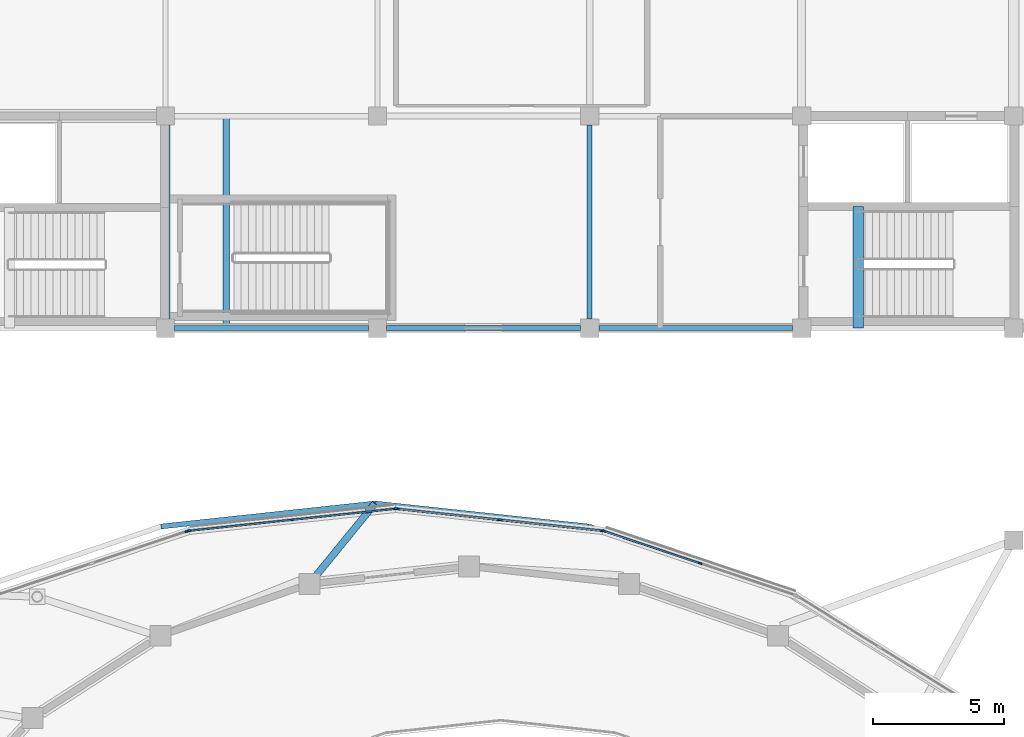
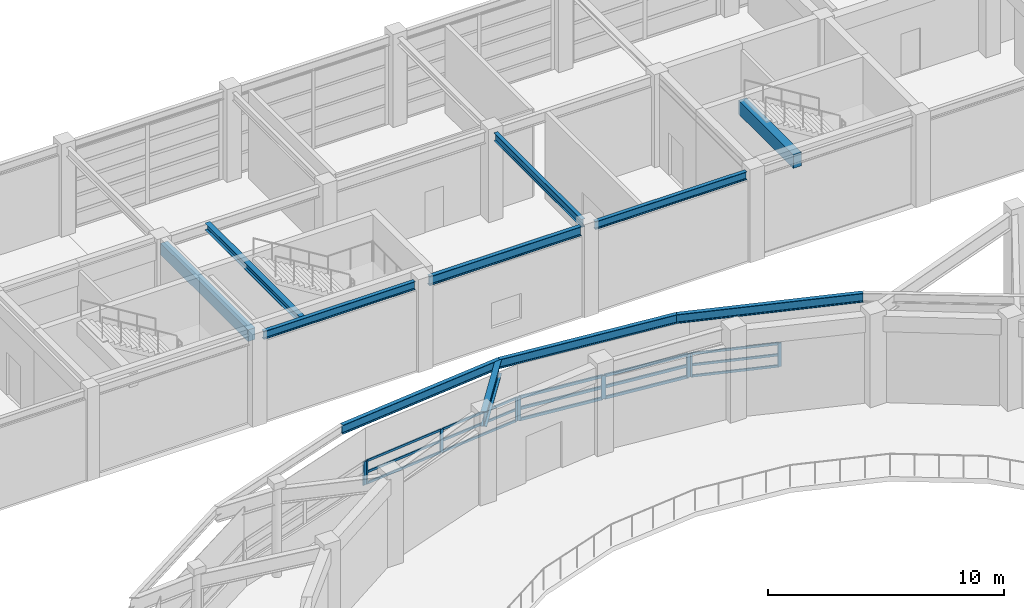
# One storey, part 26 of 58: 24 members, 11 beams, 4 elements without a shape of their own.
"""IFC4 building model written with IfcOpenShell, lengths in metres."""

from ifc_helpers import new_model, si_unit, direction, frame, origin, origin_2d, place, context, subcontext, project, spatial, rectangle, i_section, extrude, material, material_profile, profile_set, type_object, element, aggregate, save


model = new_model("IFC4")

# Units and contexts
model_context = context("Model", 3, precision=1e-05, world=origin(), true_north=direction((0.0, 1.0)))
body_context = subcontext(model_context, "Body", "Model", "MODEL_VIEW")
ifc_project = project(units=[si_unit("LENGTHUNIT", "METRE"), si_unit("AREAUNIT", "SQUARE_METRE"), si_unit("VOLUMEUNIT", "CUBIC_METRE"), si_unit("PLANEANGLEUNIT", "RADIAN"), si_unit("MASSUNIT", "GRAM", prefix="KILO")], contexts=[model_context])

# Site, building, storey
site_placement = place(None, origin())
site = spatial("IfcSite", under=ifc_project, at=site_placement, CompositionType="ELEMENT")
building_placement = place(site_placement, origin())
building = spatial("IfcBuilding", under=site, at=building_placement, Name="Parian Resonance Hall", CompositionType="ELEMENT")
storey_placement = place(building_placement, frame((0.0, 0.0, 10.199951171875)))
storey = spatial("IfcBuildingStorey", under=building, at=storey_placement, Name="L02", CompositionType="ELEMENT", Elevation=10.199951171875)

# Beams
ifc_material_1 = material(Name="Concrete C40/50", Category="concrete")
ifc_material_profile_1 = material_profile(ifc_material_1, rectangle(XDim=0.35009765625, YDim=0.60009765625, at=origin_2d()), Name="RC-BM-350x600")
ifc_profile_set_1 = profile_set([ifc_material_profile_1], Name="Concrete C40/50")
beam_type_1 = type_object("IfcBeamType", Name="BM-RC350x600", PredefinedType="BEAM", material=ifc_profile_set_1)
beam_1_placement = place(storey_placement, frame((32.39990234375, 73.25, 4.260009765625), z_axis=(0.0, 1.0, 0.0), x_axis=(-1.0, 0.0, 0.0)))
element("IfcBeam", 1, at=beam_1_placement, inside=storey, type_object=beam_type_1, Name="GY-L02-0750", PredefinedType="BEAM", context=body_context, shape_type="SweptSolid", body=[
    extrude(rectangle(XDim=0.35009765625, YDim=0.60009765625, at=origin_2d()), origin(), (0.0, 0.0, 1.0), 7.39990234375),
])
ifc_material_2 = material(Name="Concrete C40/50", Category="concrete")
ifc_material_profile_2 = material_profile(ifc_material_2, rectangle(XDim=0.39990234375, YDim=0.699951171875, at=origin_2d()), Name="RC-BM-400x700")
ifc_profile_set_2 = profile_set([ifc_material_profile_2], Name="Concrete C40/50")
beam_type_2 = type_object("IfcBeamType", Name="BM-RC400x700", PredefinedType="BEAM", material=ifc_profile_set_2)
beam_2_placement = place(storey_placement, frame((58.860107421875, 72.89990234375, 4.2099609375), z_axis=(0.0, 1.0, 0.0), x_axis=(-1.0, 0.0, 0.0)))
element("IfcBeam", 2, at=beam_2_placement, inside=storey, type_object=beam_type_2, Name="Core K1 stair arrival trimmer beam L02", PredefinedType="BEAM", context=body_context, shape_type="SweptSolid", body=[
    extrude(rectangle(XDim=0.39990234375, YDim=0.699951171875, at=origin_2d()), origin(), (0.0, 0.0, 1.0), 4.650146484375),
])
ifc_material_3 = material(Name="Steel S355", Category="steel")
ifc_material_profile_3 = material_profile(ifc_material_3, i_section(OverallWidth=0.2548828125, OverallDepth=0.35693359375, WebThickness=0.010498046875, FlangeThickness=0.018310546875, FilletRadius=0.01513671875, at=origin_2d()), Name="W360x101")
ifc_profile_set_3 = profile_set([ifc_material_profile_3], Name="Steel S355")
beam_type_3 = type_object("IfcBeamType", Name="BM-W360x101", PredefinedType="SPANDREL", material=ifc_profile_set_3)
beam_3_placement = place(storey_placement, frame((34.719970703125, 72.89990234375, 4.381591796875), z_axis=(0.0, 1.0, 0.0), x_axis=(-1.0, 0.0, 0.0)))
element("IfcBeam", 3, at=beam_3_placement, inside=storey, type_object=beam_type_3, Name="Feature stair ST-07 arrival header beam L02", PredefinedType="SPANDREL", context=body_context, shape_type="SweptSolid", body=[
    extrude(i_section(OverallWidth=0.2548828125, OverallDepth=0.35693359375, WebThickness=0.010498046875, FlangeThickness=0.018310546875, FilletRadius=0.01513671875, at=origin_2d()), origin(), (0.0, 0.0, 1.0), 8.10009765625),
])
ifc_material_4 = material(Name="Steel S355", Category="steel")
ifc_material_profile_4 = material_profile(ifc_material_4, i_section(OverallWidth=0.180908203125, OverallDepth=0.4169921875, WebThickness=0.010986328125, FlangeThickness=0.018310546875, FilletRadius=0.01513671875, at=origin_2d()), Name="W410x85")
ifc_profile_set_4 = profile_set([ifc_material_profile_4], Name="Steel S355")
beam_type_4 = type_object("IfcBeamType", Name="BM-W410x85", PredefinedType="SPANDREL", material=ifc_profile_set_4)
beam_4_placement = place(storey_placement, frame((32.75, 72.89990234375, 4.3515625), z_axis=(1.0, 0.0, 0.0), x_axis=(0.0, 1.0, 0.0)))
element("IfcBeam", 4, at=beam_4_placement, inside=storey, type_object=beam_type_4, Name="GX-L02-0668", PredefinedType="SPANDREL", context=body_context, shape_type="SweptSolid", body=[
    extrude(i_section(OverallWidth=0.180908203125, OverallDepth=0.4169921875, WebThickness=0.010986328125, FlangeThickness=0.018310546875, FilletRadius=0.01513671875, at=origin_2d()), origin(), (0.0, 0.0, 1.0), 7.39990234375),
])
beam_5_placement = place(storey_placement, frame((48.949951171875, 72.89990234375, 4.3515625), z_axis=(1.0, 0.0, 0.0), x_axis=(0.0, 1.0, 0.0)))
element("IfcBeam", 5, at=beam_5_placement, inside=storey, type_object=beam_type_4, Name="GX-L02-0674", PredefinedType="SPANDREL", context=body_context, shape_type="SweptSolid", body=[
    extrude(i_section(OverallWidth=0.180908203125, OverallDepth=0.4169921875, WebThickness=0.010986328125, FlangeThickness=0.018310546875, FilletRadius=0.01513671875, at=origin_2d()), origin(), (0.0, 0.0, 1.0), 7.400146484375),
])
beam_6_placement = place(storey_placement, frame((48.60009765625, 73.25, 4.3515625), z_axis=(0.0, 1.0, 0.0), x_axis=(-1.0, 0.0, 0.0)))
element("IfcBeam", 6, at=beam_6_placement, inside=storey, type_object=beam_type_4, Name="GY-L02-0753", PredefinedType="SPANDREL", context=body_context, shape_type="SweptSolid", body=[
    extrude(i_section(OverallWidth=0.180908203125, OverallDepth=0.4169921875, WebThickness=0.010986328125, FlangeThickness=0.018310546875, FilletRadius=0.01513671875, at=origin_2d()), origin(), (0.0, 0.0, 1.0), 7.39990234375),
])
ifc_material_5 = material(Name="Steel S355", Category="steel")
ifc_material_profile_5 = material_profile(ifc_material_5, i_section(OverallWidth=0.194091796875, OverallDepth=0.468994140625, WebThickness=0.0126953125, FlangeThickness=0.0205078125, FilletRadius=0.01513671875, at=origin_2d()), Name="W460x106")
ifc_profile_set_5 = profile_set([ifc_material_profile_5], Name="Steel S355")
beam_type_5 = type_object("IfcBeamType", Name="BM-W460x106", PredefinedType="SPANDREL", material=ifc_profile_set_5)
beam_7_placement = place(storey_placement, frame((40.85009765625, 72.89990234375, 4.325439453125), z_axis=(1.0, 0.0, 0.0), x_axis=(0.0, 1.0, 0.0)))
element("IfcBeam", 7, at=beam_7_placement, inside=storey, type_object=beam_type_5, Name="GX-L02-0671", PredefinedType="SPANDREL", context=body_context, shape_type="SweptSolid", body=[
    extrude(i_section(OverallWidth=0.194091796875, OverallDepth=0.468994140625, WebThickness=0.0126953125, FlangeThickness=0.0205078125, FilletRadius=0.01513671875, at=origin_2d()), origin(), (0.0, 0.0, 1.0), 7.39990234375),
])
beam_8_placement = place(storey_placement, frame((56.199951171875, 62.743408203125, 4.265625), z_axis=(-0.947296607548, 0.320357827013, 0.0), x_axis=(-0.320357827013, -0.947296607548, 0.0)))
element("IfcBeam", 8, at=beam_8_placement, inside=storey, type_object=beam_type_5, Name="Elliptical R3 perimeter spandrel beam 05", PredefinedType="SPANDREL", context=body_context, shape_type="SweptSolid", body=[
    extrude(i_section(OverallWidth=0.194091796875, OverallDepth=0.468994140625, WebThickness=0.0126953125, FlangeThickness=0.0205078125, FilletRadius=0.01513671875, at=origin_2d()), origin(), (0.0, 0.0, 1.0), 8.04541015625),
])
for number, where, z_axis, x_axis, name in (
    (9, (48.57861328125, 65.32080078125, 4.265625), (-0.994272266142, 0.106876848668, 0.0), (-0.106876848668, -0.994272266142, 0.0), "Elliptical R3 perimeter spandrel beam 06"),
    (10, (40.39990234375, 66.199951171875, 4.265625), (-0.994272266142, -0.106876848668, 0.0), (0.106876848668, -0.994272266142, 0.0), "Elliptical R3 perimeter spandrel beam 07"),
):
    element("IfcBeam", number, at=place(storey_placement, frame(where, z_axis=z_axis, x_axis=x_axis)), inside=storey, type_object=beam_type_5, Name=name, PredefinedType="SPANDREL", context=body_context, shape_type="SweptSolid", body=[
        extrude(i_section(OverallWidth=0.194091796875, OverallDepth=0.468994140625, WebThickness=0.0126953125, FlangeThickness=0.0205078125, FilletRadius=0.01513671875, at=origin_2d()), origin(), (0.0, 0.0, 1.0), 8.225830078125),
    ])
ifc_material_6 = material(Name="Steel S355", Category="steel")
ifc_material_profile_6 = material_profile(ifc_material_6, i_section(OverallWidth=0.26806640625, OverallDepth=0.77001953125, WebThickness=0.015625, FlangeThickness=0.025390625, FilletRadius=0.020263671875, at=origin_2d()), Name="W760x196")
ifc_profile_set_6 = profile_set([ifc_material_profile_6], Name="Steel S355")
beam_type_6 = type_object("IfcBeamType", Name="CG3 W760x196", PredefinedType="USERDEFINED", material=ifc_profile_set_6)
beam_9_placement = place(storey_placement, frame((37.891845703125, 63.125244140625, 4.114990234375), z_axis=(0.632087839298, 0.774896743709, 0.0), x_axis=(-0.774896743709, 0.632087839298, 0.0)))
element("IfcBeam", 11, at=beam_9_placement, inside=storey, type_object=beam_type_6, Name="Radial ring cantilever girder R3-07", ObjectType="GIRDER", PredefinedType="USERDEFINED", context=body_context, shape_type="SweptSolid", body=[
    extrude(i_section(OverallWidth=0.26806640625, OverallDepth=0.77001953125, WebThickness=0.015625, FlangeThickness=0.025390625, FilletRadius=0.020263671875, at=origin_2d()), origin(), (0.0, 0.0, 1.0), 3.9677734375),
])

# Curtain wall, members
ifc_material_7 = material(Name="Bronze-anodised aluminium frame", Category="aluminium")
curtain_wall_type_1 = type_object("IfcCurtainWallType", Name="CW-SYS-06", PredefinedType="NOTDEFINED", material=ifc_material_7)
curtain_wall_1_placement = place(storey_placement, origin())
curtain_wall_1 = element("IfcCurtainWall", 12, at=curtain_wall_1_placement, inside=storey, type_object=curtain_wall_type_1, Name="Elliptical R2 recessed strip curtain wall 05", PredefinedType="NOTDEFINED")
ifc_material_8 = material(Name="Bronze-anodised aluminium frame", Category="aluminium")
ifc_material_profile_7 = material_profile(ifc_material_8, rectangle(XDim=0.06494140625, YDim=0.159912109375, at=origin_2d()), Name="CWM-65x160")
ifc_profile_set_7 = profile_set([ifc_material_profile_7], Name="Bronze-anodised aluminium frame")
member_type_1 = type_object("IfcMemberType", Name="CWM-65x160", PredefinedType="MULLION", material=ifc_profile_set_7)
member_1_placement = place(storey_placement, frame((49.150634765625, 65.144775390625, 1.14208984375), z_axis=(0.0, 0.0, 1.0), x_axis=(0.318257900904, 0.948004171147, 0.0)))
member_1 = element("IfcMember", 13, at=member_1_placement, type_object=member_type_1, Name="CW-06 mullion 1", PredefinedType="MULLION", context=body_context, shape_type="SweptSolid", body=[
    extrude(rectangle(XDim=0.06494140625, YDim=0.159912109375, at=origin_2d()), origin(), (0.0, 0.0, 1.0), 1.218017578125),
])
member_2_placement = place(storey_placement, frame((52.81005859375, 63.916259765625, 1.14208984375), z_axis=(0.0, 0.0, 1.0), x_axis=(0.318257900904, 0.948004171147, 0.0)))
member_2 = element("IfcMember", 14, at=member_2_placement, type_object=member_type_1, Name="CW-06 mullion 2", PredefinedType="MULLION", context=body_context, shape_type="SweptSolid", body=[
    extrude(rectangle(XDim=0.06494140625, YDim=0.159912109375, at=origin_2d()), origin(), (0.0, 0.0, 1.0), 1.218017578125),
])

ifc_material_9 = material(Name="Bronze-anodised aluminium frame", Category="aluminium")
curtain_wall_type_2 = type_object("IfcCurtainWallType", Name="CW-SYS-02", PredefinedType="NOTDEFINED", material=ifc_material_9)
curtain_wall_2_placement = place(storey_placement, origin())
curtain_wall_2 = element("IfcCurtainWall", 15, at=curtain_wall_2_placement, inside=storey, type_object=curtain_wall_type_2, Name="Elliptical R2 recessed strip curtain wall 07", PredefinedType="NOTDEFINED")
member_3_placement = place(storey_placement, frame((33.3125, 65.158447265625, 1.14208984375), z_axis=(0.0, 0.0, 1.0), x_axis=(-0.106091133346, 0.994356410662, 0.0)))
member_3 = element("IfcMember", 16, at=member_3_placement, type_object=member_type_1, Name="CW-02 mullion 1", PredefinedType="MULLION", context=body_context, shape_type="SweptSolid", body=[
    extrude(rectangle(XDim=0.06494140625, YDim=0.159912109375, at=origin_2d()), origin(), (0.0, 0.0, 1.0), 1.218017578125),
])
member_4_placement = place(storey_placement, frame((37.239990234375, 65.577392578125, 1.14208984375), z_axis=(0.0, 0.0, 1.0), x_axis=(-0.106091133346, 0.994356410662, 0.0)))
member_4 = element("IfcMember", 17, at=member_4_placement, type_object=member_type_1, Name="CW-02 mullion 2", PredefinedType="MULLION", context=body_context, shape_type="SweptSolid", body=[
    extrude(rectangle(XDim=0.06494140625, YDim=0.159912109375, at=origin_2d()), origin(), (0.0, 0.0, 1.0), 1.218017578125),
])
member_5_placement = place(storey_placement, frame((41.167724609375, 65.99658203125, 1.14208984375), z_axis=(0.0, 0.0, 1.0), x_axis=(-0.106091133346, 0.994356410662, 0.0)))
member_5 = element("IfcMember", 18, at=member_5_placement, type_object=member_type_1, Name="CW-02 mullion 3", PredefinedType="MULLION", context=body_context, shape_type="SweptSolid", body=[
    extrude(rectangle(XDim=0.06494140625, YDim=0.159912109375, at=origin_2d()), origin(), (0.0, 0.0, 1.0), 1.218017578125),
])

ifc_material_10 = material(Name="Bronze-anodised aluminium frame", Category="aluminium")
curtain_wall_type_3 = type_object("IfcCurtainWallType", Name="CW-SYS-01", PredefinedType="NOTDEFINED", material=ifc_material_10)
curtain_wall_3_placement = place(storey_placement, origin())
curtain_wall_3 = element("IfcCurtainWall", 19, at=curtain_wall_3_placement, inside=storey, type_object=curtain_wall_type_3, Name="Elliptical R2 recessed strip curtain wall 06", PredefinedType="NOTDEFINED")
ifc_material_11 = material(Name="Bronze-anodised aluminium frame", Category="aluminium")
ifc_material_profile_8 = material_profile(ifc_material_11, rectangle(XDim=0.074951171875, YDim=0.199951171875, at=origin_2d()), Name="CWM-75x200")
ifc_profile_set_8 = profile_set([ifc_material_profile_8], Name="Bronze-anodised aluminium frame")
member_type_2 = type_object("IfcMemberType", Name="CWM-75x200", PredefinedType="MULLION", material=ifc_profile_set_8)
member_6_placement = place(storey_placement, frame((41.2373046875, 65.99609375, 1.14208984375), z_axis=(0.0, 0.0, 1.0), x_axis=(0.106091133346, 0.994356410662, 0.0)))
member_6 = element("IfcMember", 20, at=member_6_placement, type_object=member_type_2, Name="CW-01 mullion 1", PredefinedType="MULLION", context=body_context, shape_type="SweptSolid", body=[
    extrude(rectangle(XDim=0.074951171875, YDim=0.199951171875, at=origin_2d()), origin(), (0.0, 0.0, 1.0), 1.218017578125),
])
member_7_placement = place(storey_placement, frame((45.159912109375, 65.577392578125, 1.14208984375), z_axis=(0.0, 0.0, 1.0), x_axis=(0.106091133346, 0.994356410662, 0.0)))
member_7 = element("IfcMember", 21, at=member_7_placement, type_object=member_type_2, Name="CW-01 mullion 2", PredefinedType="MULLION", context=body_context, shape_type="SweptSolid", body=[
    extrude(rectangle(XDim=0.074951171875, YDim=0.199951171875, at=origin_2d()), origin(), (0.0, 0.0, 1.0), 1.218017578125),
])
member_8_placement = place(storey_placement, frame((49.08251953125, 65.158935546875, 1.14208984375), z_axis=(0.0, 0.0, 1.0), x_axis=(0.106091133346, 0.994356410662, 0.0)))
member_8 = element("IfcMember", 22, at=member_8_placement, type_object=member_type_2, Name="CW-01 mullion 3", PredefinedType="MULLION", context=body_context, shape_type="SweptSolid", body=[
    extrude(rectangle(XDim=0.074951171875, YDim=0.199951171875, at=origin_2d()), origin(), (0.0, 0.0, 1.0), 1.218017578125),
])

# Curtain wall, member
ifc_material_12 = material(Name="Bronze-anodised aluminium frame", Category="aluminium")
curtain_wall_type_4 = type_object("IfcCurtainWallType", Name="CW-SYS-03", PredefinedType="NOTDEFINED", material=ifc_material_12)
curtain_wall_4_placement = place(storey_placement, origin())
curtain_wall_4 = element("IfcCurtainWall", 23, at=curtain_wall_4_placement, inside=storey, type_object=curtain_wall_type_4, Name="Elliptical R2 recessed strip curtain wall 08", PredefinedType="NOTDEFINED")
member_9_placement = place(storey_placement, frame((33.24462890625, 65.14306640625, 1.14208984375), z_axis=(0.0, 0.0, 1.0), x_axis=(-0.318257900904, 0.948004171147, 0.0)))
member_9 = element("IfcMember", 24, at=member_9_placement, type_object=member_type_2, Name="CW-03 mullion 3", PredefinedType="MULLION", context=body_context, shape_type="SweptSolid", body=[
    extrude(rectangle(XDim=0.074951171875, YDim=0.199951171875, at=origin_2d()), origin(), (0.0, 0.0, 1.0), 1.218017578125),
])
aggregate(curtain_wall_4, [member_9])

# Member
ifc_material_13 = material(Name="Bronze-anodised aluminium frame", Category="aluminium")
ifc_material_profile_9 = material_profile(ifc_material_13, rectangle(XDim=0.06494140625, YDim=0.1201171875, at=origin_2d()), Name="CWT-65x120")
ifc_profile_set_9 = profile_set([ifc_material_profile_9], Name="Bronze-anodised aluminium frame")
member_type_3 = type_object("IfcMemberType", Name="CWT-65x120", PredefinedType="USERDEFINED", material=ifc_profile_set_9)
member_10_placement = place(storey_placement, frame((49.181640625, 65.13427734375, 1.174560546875), z_axis=(0.947999124508, -0.318272933081, 0.0), x_axis=(0.318272933081, 0.947999124508, 0.0)))
member_10 = element("IfcMember", 25, at=member_10_placement, type_object=member_type_3, Name="CW-06 transom 1.1", ObjectType="TRANSOM", PredefinedType="USERDEFINED", context=body_context, shape_type="SweptSolid", body=[
    extrude(rectangle(XDim=0.06494140625, YDim=0.1201171875, at=origin_2d()), origin(), (0.0, 0.0, 1.0), 3.794677734375),
])

member_11_placement = place(storey_placement, frame((49.181640625, 65.13427734375, 1.75), z_axis=(0.947999124508, -0.318272933081, 0.0), x_axis=(0.318272933081, 0.947999124508, 0.0)))
member_11 = element("IfcMember", 26, at=member_11_placement, type_object=member_type_3, Name="CW-06 transom 1.2", ObjectType="TRANSOM", PredefinedType="USERDEFINED", context=body_context, shape_type="SweptSolid", body=[
    extrude(rectangle(XDim=0.06494140625, YDim=0.1201171875, at=origin_2d()), origin(), (0.0, 0.0, 1.0), 3.794677734375),
])

member_12_placement = place(storey_placement, frame((49.181640625, 65.13427734375, 2.32763671875), z_axis=(0.947999124508, -0.318272933081, 0.0), x_axis=(0.318272933081, 0.947999124508, 0.0)))
member_12 = element("IfcMember", 27, at=member_12_placement, type_object=member_type_3, Name="CW-06 transom 1.3", ObjectType="TRANSOM", PredefinedType="USERDEFINED", context=body_context, shape_type="SweptSolid", body=[
    extrude(rectangle(XDim=0.06494140625, YDim=0.1201171875, at=origin_2d()), origin(), (0.0, 0.0, 1.0), 3.794677734375),
])

aggregate(curtain_wall_1, [member_1, member_2, member_10, member_11, member_12])

member_13_placement = place(storey_placement, frame((33.3447265625, 65.161865234375, 1.174560546875), z_axis=(0.994357786534, 0.106078236976, 0.0), x_axis=(-0.106078236976, 0.994357786534, 0.0)))
member_13 = element("IfcMember", 28, at=member_13_placement, type_object=member_type_3, Name="CW-02 transom 1.1", ObjectType="TRANSOM", PredefinedType="USERDEFINED", context=body_context, shape_type="SweptSolid", body=[
    extrude(rectangle(XDim=0.06494140625, YDim=0.1201171875, at=origin_2d()), origin(), (0.0, 0.0, 1.0), 3.885009765625),
])

member_14_placement = place(storey_placement, frame((33.3447265625, 65.161865234375, 1.75), z_axis=(0.994357786534, 0.106078236976, 0.0), x_axis=(-0.106078236976, 0.994357786534, 0.0)))
member_14 = element("IfcMember", 29, at=member_14_placement, type_object=member_type_3, Name="CW-02 transom 1.2", ObjectType="TRANSOM", PredefinedType="USERDEFINED", context=body_context, shape_type="SweptSolid", body=[
    extrude(rectangle(XDim=0.06494140625, YDim=0.1201171875, at=origin_2d()), origin(), (0.0, 0.0, 1.0), 3.885009765625),
])

member_15_placement = place(storey_placement, frame((33.3447265625, 65.161865234375, 2.32763671875), z_axis=(0.994357786534, 0.106078236976, 0.0), x_axis=(-0.106078236976, 0.994357786534, 0.0)))
member_15 = element("IfcMember", 30, at=member_15_placement, type_object=member_type_3, Name="CW-02 transom 1.3", ObjectType="TRANSOM", PredefinedType="USERDEFINED", context=body_context, shape_type="SweptSolid", body=[
    extrude(rectangle(XDim=0.06494140625, YDim=0.1201171875, at=origin_2d()), origin(), (0.0, 0.0, 1.0), 3.885009765625),
])

member_16_placement = place(storey_placement, frame((37.2724609375, 65.5810546875, 1.174560546875), z_axis=(0.994357079326, 0.106084866003, 0.0), x_axis=(-0.106084866003, 0.994357079326, 0.0)))
member_16 = element("IfcMember", 31, at=member_16_placement, type_object=member_type_3, Name="CW-02 transom 2.1", ObjectType="TRANSOM", PredefinedType="USERDEFINED", context=body_context, shape_type="SweptSolid", body=[
    extrude(rectangle(XDim=0.06494140625, YDim=0.1201171875, at=origin_2d()), origin(), (0.0, 0.0, 1.0), 3.884765625),
])

member_17_placement = place(storey_placement, frame((37.2724609375, 65.5810546875, 1.75), z_axis=(0.994357079326, 0.106084866003, 0.0), x_axis=(-0.106084866003, 0.994357079326, 0.0)))
member_17 = element("IfcMember", 32, at=member_17_placement, type_object=member_type_3, Name="CW-02 transom 2.2", ObjectType="TRANSOM", PredefinedType="USERDEFINED", context=body_context, shape_type="SweptSolid", body=[
    extrude(rectangle(XDim=0.06494140625, YDim=0.1201171875, at=origin_2d()), origin(), (0.0, 0.0, 1.0), 3.884765625),
])

member_18_placement = place(storey_placement, frame((37.2724609375, 65.5810546875, 2.32763671875), z_axis=(0.994357079326, 0.106084866003, 0.0), x_axis=(-0.106084866003, 0.994357079326, 0.0)))
member_18 = element("IfcMember", 33, at=member_18_placement, type_object=member_type_3, Name="CW-02 transom 2.3", ObjectType="TRANSOM", PredefinedType="USERDEFINED", context=body_context, shape_type="SweptSolid", body=[
    extrude(rectangle(XDim=0.06494140625, YDim=0.1201171875, at=origin_2d()), origin(), (0.0, 0.0, 1.0), 3.884765625),
])

aggregate(curtain_wall_2, [member_3, member_4, member_5, member_13, member_14, member_15, member_16, member_17, member_18])

ifc_material_14 = material(Name="Bronze-anodised aluminium frame", Category="aluminium")
ifc_material_profile_10 = material_profile(ifc_material_14, rectangle(XDim=0.074951171875, YDim=0.14990234375, at=origin_2d()), Name="CWT-75x150")
ifc_profile_set_10 = profile_set([ifc_material_profile_10], Name="Bronze-anodised aluminium frame")
member_type_4 = type_object("IfcMemberType", Name="CWT-75x150", PredefinedType="USERDEFINED", material=ifc_profile_set_10)
member_19_placement = place(storey_placement, frame((41.274658203125, 65.991943359375, 1.179443359375), z_axis=(0.994360353833, -0.106054168821, 0.0), x_axis=(0.106054168821, 0.994360353833, 0.0)))
member_19 = element("IfcMember", 34, at=member_19_placement, type_object=member_type_4, Name="CW-01 transom 1.1", ObjectType="TRANSOM", PredefinedType="USERDEFINED", context=body_context, shape_type="SweptSolid", body=[
    extrude(rectangle(XDim=0.074951171875, YDim=0.14990234375, at=origin_2d()), origin(), (0.0, 0.0, 1.0), 3.86962890625),
])

member_20_placement = place(storey_placement, frame((41.274658203125, 65.991943359375, 1.75), z_axis=(0.994360353833, -0.106054168821, 0.0), x_axis=(0.106054168821, 0.994360353833, 0.0)))
member_20 = element("IfcMember", 35, at=member_20_placement, type_object=member_type_4, Name="CW-01 transom 1.2", ObjectType="TRANSOM", PredefinedType="USERDEFINED", context=body_context, shape_type="SweptSolid", body=[
    extrude(rectangle(XDim=0.074951171875, YDim=0.14990234375, at=origin_2d()), origin(), (0.0, 0.0, 1.0), 3.86962890625),
])

member_21_placement = place(storey_placement, frame((41.274658203125, 65.991943359375, 2.322509765625), z_axis=(0.994360353833, -0.106054168821, 0.0), x_axis=(0.106054168821, 0.994360353833, 0.0)))
member_21 = element("IfcMember", 36, at=member_21_placement, type_object=member_type_4, Name="CW-01 transom 1.3", ObjectType="TRANSOM", PredefinedType="USERDEFINED", context=body_context, shape_type="SweptSolid", body=[
    extrude(rectangle(XDim=0.074951171875, YDim=0.14990234375, at=origin_2d()), origin(), (0.0, 0.0, 1.0), 3.86962890625),
])

member_22_placement = place(storey_placement, frame((45.197265625, 65.573486328125, 1.179443359375), z_axis=(0.994354409072, -0.106109891896, 0.0), x_axis=(0.106109891896, 0.994354409072, 0.0)))
member_22 = element("IfcMember", 37, at=member_22_placement, type_object=member_type_4, Name="CW-01 transom 2.1", ObjectType="TRANSOM", PredefinedType="USERDEFINED", context=body_context, shape_type="SweptSolid", body=[
    extrude(rectangle(XDim=0.074951171875, YDim=0.14990234375, at=origin_2d()), origin(), (0.0, 0.0, 1.0), 3.869873046875),
])

member_23_placement = place(storey_placement, frame((45.197265625, 65.573486328125, 1.75), z_axis=(0.994354409072, -0.106109891896, 0.0), x_axis=(0.106109891896, 0.994354409072, 0.0)))
member_23 = element("IfcMember", 38, at=member_23_placement, type_object=member_type_4, Name="CW-01 transom 2.2", ObjectType="TRANSOM", PredefinedType="USERDEFINED", context=body_context, shape_type="SweptSolid", body=[
    extrude(rectangle(XDim=0.074951171875, YDim=0.14990234375, at=origin_2d()), origin(), (0.0, 0.0, 1.0), 3.869873046875),
])

member_24_placement = place(storey_placement, frame((45.197265625, 65.573486328125, 2.322509765625), z_axis=(0.994354409072, -0.106109891896, 0.0), x_axis=(0.106109891896, 0.994354409072, 0.0)))
member_24 = element("IfcMember", 39, at=member_24_placement, type_object=member_type_4, Name="CW-01 transom 2.3", ObjectType="TRANSOM", PredefinedType="USERDEFINED", context=body_context, shape_type="SweptSolid", body=[
    extrude(rectangle(XDim=0.074951171875, YDim=0.14990234375, at=origin_2d()), origin(), (0.0, 0.0, 1.0), 3.869873046875),
])

aggregate(curtain_wall_3, [member_6, member_7, member_8, member_19, member_20, member_21, member_22, member_23, member_24])

save(model, "model.ifc")
